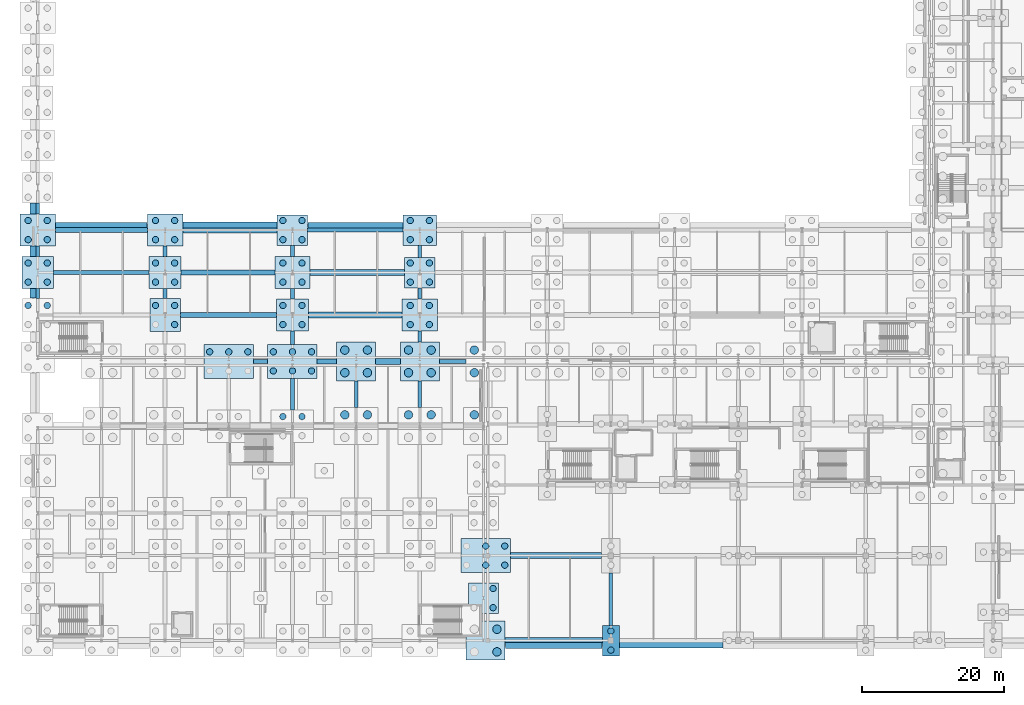
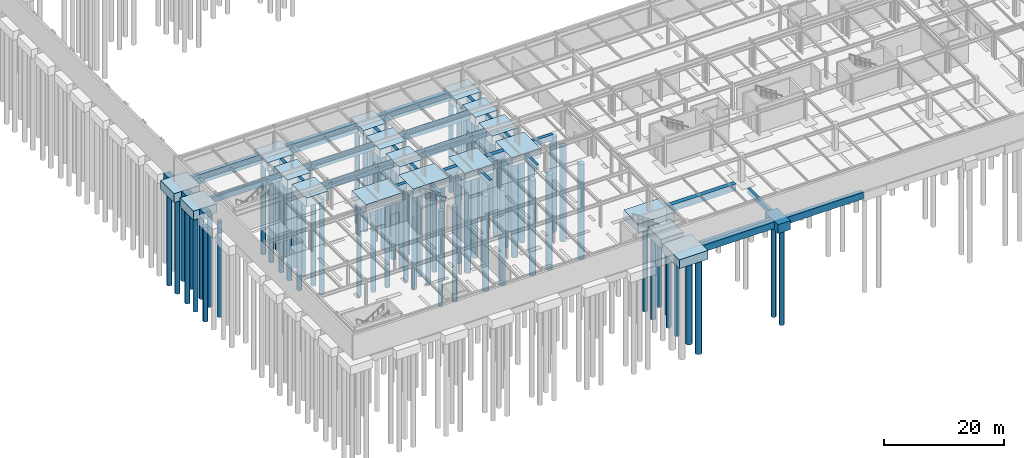
# One storey, part 3 of 65: 81 piles, 56 footings.
"""IFC4 building model written with IfcOpenShell, lengths in metres."""

from ifc_helpers import new_model, si_unit, direction, frame, origin, origin_2d, place, context, subcontext, project, spatial, rectangle, circle, extrude, material, material_profile, profile_set, type_object, element, save


model = new_model("IFC4")

# Units and contexts
model_context = context("Model", 3, precision=1e-05, world=origin(), true_north=direction((0.0, 1.0)))
body_context = subcontext(model_context, "Body", "Model", "MODEL_VIEW")
ifc_project = project(units=[si_unit("LENGTHUNIT", "METRE"), si_unit("AREAUNIT", "SQUARE_METRE"), si_unit("VOLUMEUNIT", "CUBIC_METRE"), si_unit("PLANEANGLEUNIT", "RADIAN"), si_unit("MASSUNIT", "GRAM", prefix="KILO")], contexts=[model_context])

# Site, building, storey
site_placement = place(None, origin())
site = spatial("IfcSite", under=ifc_project, at=site_placement, CompositionType="ELEMENT")
building_placement = place(site_placement, origin())
building = spatial("IfcBuilding", under=site, at=building_placement, Name="Kaldris Quays Convention Centre", CompositionType="ELEMENT")
storey_placement = place(building_placement, frame((0.0, 0.0, -5.39990234375)))
storey = spatial("IfcBuildingStorey", under=building, at=storey_placement, Name="B1", CompositionType="ELEMENT", Elevation=-5.39990234375)

# Piles
ifc_material = material(Name="Concrete C35/45", Category="concrete")
ifc_material_profile_1 = material_profile(ifc_material, circle(Radius=0.449951171875, at=origin_2d()), Name="BORED PILE D900")
ifc_profile_set_1 = profile_set([ifc_material_profile_1], Name="Concrete C35/45")
pile_type_1 = type_object("IfcPileType", Name="BORED PILE P01", PredefinedType="BORED", material=ifc_profile_set_1)
for number, where, z_axis, x_axis, name in (
    (1, (18.64990234375, 63.35009765625, -1.7001953125), (0.0, 0.0, -1.0), (1.0, 0.0, 0.0), "Bored Pile P01 31"),
    (2, (21.35009765625, 63.35009765625, -1.7001953125), (0.0, 0.0, -1.0), (1.0, 0.0, 0.0), "Bored Pile P01 32"),
    (3, (18.64990234375, 66.64990234375, -1.7001953125), (0.0, 0.0, -1.0), (1.0, 0.0, 0.0), "Bored Pile P01 33"),
    (4, (21.35009765625, 66.64990234375, -1.7001953125), (0.0, 0.0, -1.0), (1.0, 0.0, 0.0), "Bored Pile P01 34"),
    (5, (18.64990234375, 69.35009765625, -1.7001953125), (0.0, 0.0, -1.0), (1.0, 0.0, 0.0), "Bored Pile P01 35"),
    (6, (21.35009765625, 69.35009765625, -1.7001953125), (0.0, 0.0, -1.0), (1.0, 0.0, 0.0), "Bored Pile P01 36"),
    (7, (18.64990234375, 72.64990234375, -1.7001953125), (0.0, 0.0, -1.0), (1.0, 0.0, 0.0), "Bored Pile P01 37"),
    (8, (21.35009765625, 72.64990234375, -1.7001953125), (0.0, 0.0, -1.0), (1.0, 0.0, 0.0), "Bored Pile P01 38"),
    (9, (18.64990234375, 75.35009765625, -1.7001953125), (0.0, 0.0, -1.0), (1.0, 0.0, 0.0), "Bored Pile P01 39"),
    (10, (21.35009765625, 75.35009765625, -1.7001953125), (0.0, 0.0, -1.0), (1.0, 0.0, 0.0), "Bored Pile P01 40"),
    (11, (39.35009765625, 60.64990234375, -1.7001953125), (0.0, 0.0, -1.0), (1.0, 0.0, 0.0), "Bored Pile P01 130"),
    (12, (36.64990234375, 63.35009765625, -1.7001953125), (0.0, 0.0, -1.0), (1.0, 0.0, 0.0), "Bored Pile P01 131"),
    (13, (39.35009765625, 63.35009765625, -1.7001953125), (0.0, 0.0, -1.0), (1.0, 0.0, 0.0), "Bored Pile P01 132"),
    (14, (36.64990234375, 66.64990234375, -1.7001953125), (0.0, 0.0, -1.0), (1.0, 0.0, 0.0), "Bored Pile P01 133"),
    (15, (39.35009765625, 66.64990234375, -1.7001953125), (0.0, 0.0, -1.0), (1.0, 0.0, 0.0), "Bored Pile P01 134"),
    (16, (36.64990234375, 69.35009765625, -1.7001953125), (0.0, 0.0, -1.0), (1.0, 0.0, 0.0), "Bored Pile P01 135"),
    (17, (39.35009765625, 69.35009765625, -1.7001953125), (0.0, 0.0, -1.0), (1.0, 0.0, 0.0), "Bored Pile P01 136"),
    (18, (36.64990234375, 72.64990234375, -1.7001953125), (0.0, 0.0, -1.0), (1.0, 0.0, 0.0), "Bored Pile P01 137"),
    (19, (39.35009765625, 72.64990234375, -1.7001953125), (0.0, 0.0, -1.0), (1.0, 0.0, 0.0), "Bored Pile P01 138"),
    (20, (36.64990234375, 75.35009765625, -1.7001953125), (0.0, 0.0, -1.0), (1.0, 0.0, 0.0), "Bored Pile P01 139"),
    (21, (39.35009765625, 75.35009765625, -1.7001953125), (0.0, 0.0, -1.0), (1.0, 0.0, 0.0), "Bored Pile P01 140"),
    (22, (44.300048828125, 56.800048828125, -1.7001953125), (0.0, 0.0, -1.0), (1.0, 0.0, 0.0), "Bored Pile P01 168"),
    (23, (47.0, 56.800048828125, -1.7001953125), (0.0, 0.0, -1.0), (1.0, 0.0, 0.0), "Bored Pile P01 169"),
    (24, (49.699951171875, 56.800048828125, -1.7001953125), (0.0, 0.0, -1.0), (1.0, 0.0, 0.0), "Bored Pile P01 170"),
    (25, (54.64990234375, 47.64990234375, -1.7001953125), (0.0, 0.0, -1.0), (1.0, 0.0, 0.0), "Bored Pile P01 189"),
    (26, (57.35009765625, 47.64990234375, -1.7001953125), (0.0, 0.0, -1.0), (1.0, 0.0, 0.0), "Bored Pile P01 190"),
    (27, (53.300048828125, 54.10009765625, -1.7001953125), (0.0, 0.0, -1.0), (1.0, 0.0, 0.0), "Bored Pile P01 191"),
    (28, (56.0, 54.10009765625, -1.7001953125), (0.0, 0.0, -1.0), (1.0, 0.0, 0.0), "Bored Pile P01 192"),
    (29, (58.699951171875, 54.10009765625, -1.7001953125), (0.0, 0.0, -1.0), (1.0, 0.0, 0.0), "Bored Pile P01 193"),
    (30, (53.300048828125, 56.800048828125, -1.7001953125), (0.0, 0.0, -1.0), (1.0, 0.0, 0.0), "Bored Pile P01 194"),
    (31, (56.0, 56.800048828125, -1.7001953125), (0.0, 0.0, -1.0), (1.0, 0.0, 0.0), "Bored Pile P01 195"),
    (32, (58.699951171875, 56.800048828125, -1.7001953125), (0.0, 0.0, -1.0), (1.0, 0.0, 0.0), "Bored Pile P01 196"),
    (33, (54.64990234375, 60.64990234375, -1.7001953125), (0.0, 0.0, -1.0), (1.0, 0.0, 0.0), "Bored Pile P01 197"),
    (34, (57.35009765625, 60.64990234375, -1.7001953125), (0.0, 0.0, -1.0), (1.0, 0.0, 0.0), "Bored Pile P01 198"),
    (35, (54.64990234375, 63.35009765625, -1.7001953125), (0.0, 0.0, -1.0), (1.0, 0.0, 0.0), "Bored Pile P01 199"),
    (36, (57.35009765625, 63.35009765625, -1.7001953125), (0.0, 0.0, -1.0), (1.0, 0.0, 0.0), "Bored Pile P01 200"),
    (37, (54.64990234375, 66.64990234375, -1.7001953125), (0.0, 0.0, -1.0), (1.0, 0.0, 0.0), "Bored Pile P01 201"),
    (38, (57.35009765625, 66.64990234375, -1.7001953125), (0.0, 0.0, -1.0), (1.0, 0.0, 0.0), "Bored Pile P01 202"),
    (39, (54.64990234375, 69.35009765625, -1.7001953125), (0.0, 0.0, -1.0), (1.0, 0.0, 0.0), "Bored Pile P01 203"),
    (40, (57.35009765625, 69.35009765625, -1.7001953125), (0.0, 0.0, -1.0), (1.0, 0.0, 0.0), "Bored Pile P01 204"),
    (41, (54.64990234375, 72.64990234375, -1.7001953125), (0.0, 0.0, -1.0), (1.0, 0.0, 0.0), "Bored Pile P01 205"),
    (42, (57.35009765625, 72.64990234375, -1.7001953125), (0.0, 0.0, -1.0), (1.0, 0.0, 0.0), "Bored Pile P01 206"),
    (43, (54.64990234375, 75.35009765625, -1.7001953125), (0.0, 0.0, -1.0), (1.0, 0.0, 0.0), "Bored Pile P01 207"),
    (44, (57.35009765625, 75.35009765625, -1.7001953125), (0.0, 0.0, -1.0), (1.0, 0.0, 0.0), "Bored Pile P01 208"),
    (45, (72.64990234375, 60.64990234375, -1.7001953125), (0.0, 0.0, -1.0), (1.0, 0.0, 0.0), "Bored Pile P01 261"),
    (46, (75.35009765625, 60.64990234375, -1.7001953125), (0.0, 0.0, -1.0), (1.0, 0.0, 0.0), "Bored Pile P01 262"),
    (47, (72.64990234375, 63.35009765625, -1.7001953125), (0.0, 0.0, -1.0), (1.0, 0.0, 0.0), "Bored Pile P01 263"),
    (48, (75.35009765625, 63.35009765625, -1.7001953125), (0.0, 0.0, -1.0), (1.0, 0.0, 0.0), "Bored Pile P01 264"),
    (49, (72.64990234375, 66.64990234375, -1.7001953125), (0.0, 0.0, -1.0), (1.0, 0.0, 0.0), "Bored Pile P01 265"),
    (50, (75.35009765625, 66.64990234375, -1.7001953125), (0.0, 0.0, -1.0), (1.0, 0.0, 0.0), "Bored Pile P01 266"),
    (51, (72.64990234375, 69.35009765625, -1.7001953125), (0.0, 0.0, -1.0), (1.0, 0.0, 0.0), "Bored Pile P01 267"),
    (52, (75.35009765625, 69.35009765625, -1.7001953125), (0.0, 0.0, -1.0), (1.0, 0.0, 0.0), "Bored Pile P01 268"),
    (53, (72.64990234375, 72.64990234375, -1.7001953125), (0.0, 0.0, -1.0), (1.0, 0.0, 0.0), "Bored Pile P01 269"),
    (54, (75.35009765625, 72.64990234375, -1.7001953125), (0.0, 0.0, -1.0), (1.0, 0.0, 0.0), "Bored Pile P01 270"),
    (55, (72.64990234375, 75.35009765625, -1.7001953125), (0.0, 0.0, -1.0), (1.0, 0.0, 0.0), "Bored Pile P01 271"),
    (56, (75.35009765625, 75.35009765625, -1.7001953125), (0.0, 0.0, -1.0), (1.0, 0.0, 0.0), "Bored Pile P01 272"),
    (57, (84.35009765625, 20.64990234375, -1.7001953125), (0.0, 0.0, -1.0), (1.0, 0.0, 0.0), "Bored Pile P01 286"),
    (58, (84.35009765625, 23.35009765625, -1.7001953125), (0.0, 0.0, -1.0), (1.0, 0.0, 0.0), "Bored Pile P01 288"),
    (59, (83.300048828125, 26.64990234375, -1.7001953125), (0.0, 0.0, -1.0), (1.0, 0.0, 0.0), "Bored Pile P01 290"),
    (60, (86.0, 26.64990234375, -1.7001953125), (0.0, 0.0, -1.0), (1.0, 0.0, 0.0), "Bored Pile P01 291"),
    (61, (83.300048828125, 29.35009765625, -1.7001953125), (0.0, 0.0, -1.0), (1.0, 0.0, 0.0), "Bored Pile P01 293"),
    (62, (86.0, 29.35009765625, -1.7001953125), (0.0, 0.0, -1.0), (1.0, 0.0, 0.0), "Bored Pile P01 294"),
    (63, (101.0, 14.64990234375, -1.7001953125), (0.0, 0.0, -1.0), (1.0, 0.0, 0.0), "Bored Pile P01 343"),
    (64, (101.0, 17.35009765625, -1.7001953125), (0.0, 0.0, -1.0), (1.0, 0.0, 0.0), "Bored Pile P01 344"),
):
    element("IfcPile", number, at=place(storey_placement, frame(where, z_axis=z_axis, x_axis=x_axis)), inside=storey, type_object=pile_type_1, Name=name, PredefinedType="BORED", context=body_context, shape_type="SweptSolid", body=[
        extrude(circle(Radius=0.449951171875, at=origin_2d()), origin(), (0.0, 0.0, 1.0), 19.300048828125),
    ])
ifc_material_profile_2 = material_profile(ifc_material, circle(Radius=0.60009765625, at=origin_2d()), Name="BORED PILE D1200")
ifc_profile_set_2 = profile_set([ifc_material_profile_2], Name="Concrete C35/45")
pile_type_2 = type_object("IfcPileType", Name="BORED PILE P02", PredefinedType="BORED", material=ifc_profile_set_2)
for number, where, z_axis, x_axis, name in (
    (65, (63.39990234375, 47.89990234375, -1.7001953125), (0.0, 0.0, -1.0), (1.0, 0.0, 0.0), "Bored Pile P02 231"),
    (66, (66.60009765625, 47.89990234375, -1.7001953125), (0.0, 0.0, -1.0), (1.0, 0.0, 0.0), "Bored Pile P02 232"),
    (67, (63.39990234375, 53.85009765625, -1.7001953125), (0.0, 0.0, -1.0), (1.0, 0.0, 0.0), "Bored Pile P02 233"),
    (68, (66.60009765625, 53.85009765625, -1.7001953125), (0.0, 0.0, -1.0), (1.0, 0.0, 0.0), "Bored Pile P02 234"),
    (69, (63.39990234375, 57.050048828125, -1.7001953125), (0.0, 0.0, -1.0), (1.0, 0.0, 0.0), "Bored Pile P02 235"),
    (70, (66.60009765625, 57.050048828125, -1.7001953125), (0.0, 0.0, -1.0), (1.0, 0.0, 0.0), "Bored Pile P02 236"),
    (71, (72.39990234375, 47.89990234375, -1.7001953125), (0.0, 0.0, -1.0), (1.0, 0.0, 0.0), "Bored Pile P02 255"),
    (72, (75.60009765625, 47.89990234375, -1.7001953125), (0.0, 0.0, -1.0), (1.0, 0.0, 0.0), "Bored Pile P02 256"),
    (73, (72.39990234375, 53.85009765625, -1.7001953125), (0.0, 0.0, -1.0), (1.0, 0.0, 0.0), "Bored Pile P02 257"),
    (74, (75.60009765625, 53.85009765625, -1.7001953125), (0.0, 0.0, -1.0), (1.0, 0.0, 0.0), "Bored Pile P02 258"),
    (75, (72.39990234375, 57.050048828125, -1.7001953125), (0.0, 0.0, -1.0), (1.0, 0.0, 0.0), "Bored Pile P02 259"),
    (76, (75.60009765625, 57.050048828125, -1.7001953125), (0.0, 0.0, -1.0), (1.0, 0.0, 0.0), "Bored Pile P02 260"),
    (77, (84.89990234375, 14.39990234375, -1.7001953125), (0.0, 0.0, -1.0), (1.0, 0.0, 0.0), "Bored Pile P02 282"),
    (78, (84.89990234375, 17.60009765625, -1.7001953125), (0.0, 0.0, -1.0), (1.0, 0.0, 0.0), "Bored Pile P02 284"),
    (79, (81.699951171875, 47.89990234375, -1.7001953125), (0.0, 0.0, -1.0), (1.0, 0.0, 0.0), "Bored Pile P02 305"),
    (80, (81.699951171875, 53.85009765625, -1.7001953125), (0.0, 0.0, -1.0), (1.0, 0.0, 0.0), "Bored Pile P02 307"),
    (81, (81.699951171875, 57.050048828125, -1.7001953125), (0.0, 0.0, -1.0), (1.0, 0.0, 0.0), "Bored Pile P02 309"),
):
    element("IfcPile", number, at=place(storey_placement, frame(where, z_axis=z_axis, x_axis=x_axis)), inside=storey, type_object=pile_type_2, Name=name, PredefinedType="BORED", context=body_context, shape_type="SweptSolid", body=[
        extrude(circle(Radius=0.60009765625, at=origin_2d()), origin(), (0.0, 0.0, 1.0), 19.300048828125),
    ])

# Footings
footing_type_1 = type_object("IfcFootingType", Name="CONCRETE FOOTING PC03", PredefinedType="PILE_CAP", material=ifc_material)
footing_1_placement = place(storey_placement, frame((101.0, 16.0, -1.80029296875), z_axis=(0.0, 0.0, 1.0), x_axis=(1.0, 0.0, 0.0)))
element("IfcFooting", 82, at=footing_1_placement, inside=storey, type_object=footing_type_1, Name="Pile Cap CAP-087 (PC03)", PredefinedType="PILE_CAP", context=body_context, shape_type="SweptSolid", body=[
    extrude(rectangle(XDim=2.39990234375, YDim=4.300048828125, at=origin_2d()), origin(), (0.0, 0.0, 1.0), 1.800048828125),
])
footing_type_2 = type_object("IfcFootingType", Name="CONCRETE FOOTING PC04", PredefinedType="PILE_CAP", material=ifc_material)
for number, where, z_axis, x_axis, name in (
    (83, (56.0, 74.0, -1.80029296875), (0.0, 0.0, 1.0), (1.0, 0.0, 0.0), "Pile Cap CAP-051 (PC04)"),
    (84, (74.0, 68.0, -1.80029296875), (0.0, 0.0, 1.0), (1.0, 0.0, 0.0), "Pile Cap CAP-066 (PC04)"),
    (85, (83.0, 22.0, -1.80029296875), (0.0, 0.0, 1.0), (1.0, 0.0, 0.0), "Pile Cap CAP-071 (PC04)"),
):
    element("IfcFooting", number, at=place(storey_placement, frame(where, z_axis=z_axis, x_axis=x_axis)), inside=storey, type_object=footing_type_2, Name=name, PredefinedType="PILE_CAP", context=body_context, shape_type="SweptSolid", body=[
        extrude(rectangle(XDim=4.300048828125, YDim=4.300048828125, at=origin_2d()), origin(), (0.0, 0.0, 1.0), 1.800048828125),
    ])
footing_type_3 = type_object("IfcFootingType", Name="CONCRETE FOOTING PC06", PredefinedType="PILE_CAP", material=ifc_material)
for number, where, z_axis, x_axis, name in (
    (86, (47.0, 55.449951171875, -1.80029296875), (0.0, 0.0, 1.0), (1.0, 0.0, 0.0), "Pile Cap CAP-042 (PC06)"),
    (87, (56.0, 55.449951171875, -1.80029296875), (0.0, 0.0, 1.0), (1.0, 0.0, 0.0), "Pile Cap CAP-048 (PC06)"),
    (88, (83.300048828125, 28.0, -1.80029296875), (0.0, 0.0, 1.0), (1.0, 0.0, 0.0), "Pile Cap CAP-072 (PC06)"),
):
    element("IfcFooting", number, at=place(storey_placement, frame(where, z_axis=z_axis, x_axis=x_axis)), inside=storey, type_object=footing_type_3, Name=name, PredefinedType="PILE_CAP", context=body_context, shape_type="SweptSolid", body=[
        extrude(rectangle(XDim=7.0, YDim=4.800048828125, at=origin_2d()), origin(), (0.0, 0.0, 1.0), 1.800048828125),
    ])
footing_type_4 = type_object("IfcFootingType", Name="CONCRETE FOOTING PC07", PredefinedType="PILE_CAP", material=ifc_material)
footing_2_placement = place(storey_placement, frame((74.0, 74.0, -1.80029296875), z_axis=(0.0, 0.0, 1.0), x_axis=(1.0, 0.0, 0.0)))
element("IfcFooting", 89, at=footing_2_placement, inside=storey, type_object=footing_type_4, Name="Pile Cap CAP-067 (PC07)", PredefinedType="PILE_CAP", context=body_context, shape_type="SweptSolid", body=[
    extrude(rectangle(XDim=4.699951171875, YDim=4.300048828125, at=origin_2d()), origin(), (0.0, 0.0, 1.0), 1.800048828125),
])
footing_type_5 = type_object("IfcFootingType", Name="CONCRETE FOOTING PC08", PredefinedType="PILE_CAP", material=ifc_material)
footing_3_placement = place(storey_placement, frame((38.0, 62.0, -1.80029296875), z_axis=(0.0, 0.0, 1.0), x_axis=(1.0, 0.0, 0.0)))
element("IfcFooting", 90, at=footing_3_placement, inside=storey, type_object=footing_type_5, Name="Pile Cap CAP-033 (PC08)", PredefinedType="PILE_CAP", context=body_context, shape_type="SweptSolid", body=[
    extrude(rectangle(XDim=4.300048828125, YDim=4.699951171875, at=origin_2d()), origin(), (0.0, 0.0, 1.0), 1.800048828125),
])
footing_type_6 = type_object("IfcFootingType", Name="CONCRETE FOOTING PC13", PredefinedType="PILE_CAP", material=ifc_material)
for number, where, z_axis, x_axis, name in (
    (91, (20.0, 68.0, -1.80029296875), (0.0, 0.0, 1.0), (1.0, 0.0, 0.0), "Pile Cap CAP-009 (PC13)"),
    (92, (38.0, 68.0, -1.80029296875), (0.0, 0.0, 1.0), (1.0, 0.0, 0.0), "Pile Cap CAP-034 (PC13)"),
    (93, (56.0, 62.0, -1.80029296875), (0.0, 0.0, 1.0), (1.0, 0.0, 0.0), "Pile Cap CAP-049 (PC13)"),
):
    element("IfcFooting", number, at=place(storey_placement, frame(where, z_axis=z_axis, x_axis=x_axis)), inside=storey, type_object=footing_type_6, Name=name, PredefinedType="PILE_CAP", context=body_context, shape_type="SweptSolid", body=[
        extrude(rectangle(XDim=4.5, YDim=4.5, at=origin_2d()), origin(), (0.0, 0.0, 1.0), 1.800048828125),
    ])
footing_type_7 = type_object("IfcFootingType", Name="CONCRETE FOOTING PC14", PredefinedType="PILE_CAP", material=ifc_material)
for number, where, z_axis, x_axis, name in (
    (94, (20.0, 74.0, -1.80029296875), (0.0, 0.0, 1.0), (1.0, 0.0, 0.0), "Pile Cap CAP-010 (PC14)"),
    (95, (38.0, 74.0, -1.80029296875), (0.0, 0.0, 1.0), (1.0, 0.0, 0.0), "Pile Cap CAP-035 (PC14)"),
    (96, (56.0, 68.0, -1.80029296875), (0.0, 0.0, 1.0), (1.0, 0.0, 0.0), "Pile Cap CAP-050 (PC14)"),
    (97, (74.0, 62.0, -1.80029296875), (0.0, 0.0, 1.0), (1.0, 0.0, 0.0), "Pile Cap CAP-065 (PC14)"),
):
    element("IfcFooting", number, at=place(storey_placement, frame(where, z_axis=z_axis, x_axis=x_axis)), inside=storey, type_object=footing_type_7, Name=name, PredefinedType="PILE_CAP", context=body_context, shape_type="SweptSolid", body=[
        extrude(rectangle(XDim=5.0, YDim=4.5, at=origin_2d()), origin(), (0.0, 0.0, 1.0), 1.800048828125),
    ])
footing_type_8 = type_object("IfcFootingType", Name="CONCRETE FOOTING PC15", PredefinedType="PILE_CAP", material=ifc_material)
for number, where, z_axis, x_axis, name in (
    (98, (65.0, 55.449951171875, -1.80029296875), (0.0, 0.0, 1.0), (1.0, 0.0, 0.0), "Pile Cap CAP-058 (PC15)"),
    (99, (74.0, 55.449951171875, -1.80029296875), (0.0, 0.0, 1.0), (1.0, 0.0, 0.0), "Pile Cap CAP-064 (PC15)"),
    (100, (83.300048828125, 16.0, -1.80029296875), (0.0, 0.0, 1.0), (1.0, 0.0, 0.0), "Pile Cap CAP-070 (PC15)"),
):
    element("IfcFooting", number, at=place(storey_placement, frame(where, z_axis=z_axis, x_axis=x_axis)), inside=storey, type_object=footing_type_8, Name=name, PredefinedType="PILE_CAP", context=body_context, shape_type="SweptSolid", body=[
        extrude(rectangle(XDim=5.5, YDim=5.5, at=origin_2d()), origin(), (0.0, 0.0, 1.0), 1.800048828125),
    ])
footing_type_9 = type_object("IfcFootingType", Name="GROUND TIE BEAM GB01", PredefinedType="FOOTING_BEAM", material=ifc_material)
footing_4_placement = place(storey_placement, frame((51.5, 55.449951171875, -1.2001953125), z_axis=(0.0, 0.0, 1.0), x_axis=(1.0, 0.0, 0.0)))
element("IfcFooting", 101, at=footing_4_placement, inside=storey, type_object=footing_type_9, Name="Ground Tie Beam GB01 72", PredefinedType="FOOTING_BEAM", context=body_context, shape_type="SweptSolid", body=[
    extrude(rectangle(XDim=2.0, YDim=0.60009765625, at=origin_2d()), origin(), (0.0, 0.0, 1.0), 1.199951171875),
])
footing_5_placement = place(storey_placement, frame((78.64990234375, 55.449951171875, -1.2001953125), z_axis=(0.0, 0.0, 1.0), x_axis=(1.0, 0.0, 0.0)))
element("IfcFooting", 102, at=footing_5_placement, inside=storey, type_object=footing_type_9, Name="Ground Tie Beam GB01 75", PredefinedType="FOOTING_BEAM", context=body_context, shape_type="SweptSolid", body=[
    extrude(rectangle(XDim=3.800048828125, YDim=0.60009765625, at=origin_2d()), origin(), (0.0, 0.0, 1.0), 1.199951171875),
])
for number, where, z_axis, x_axis, name in (
    (103, (29.0, 68.0, -1.2001953125), (0.0, 0.0, 1.0), (1.0, 0.0, 0.0), "Ground Tie Beam GB01 93"),
    (104, (64.89990234375, 74.0, -1.2001953125), (0.0, 0.0, 1.0), (1.0, 0.0, 0.0), "Ground Tie Beam GB01 108"),
):
    element("IfcFooting", number, at=place(storey_placement, frame(where, z_axis=z_axis, x_axis=x_axis)), inside=storey, type_object=footing_type_9, Name=name, PredefinedType="FOOTING_BEAM", context=body_context, shape_type="SweptSolid", body=[
        extrude(rectangle(XDim=13.5, YDim=0.60009765625, at=origin_2d()), origin(), (0.0, 0.0, 1.0), 1.199951171875),
    ])
footing_type_10 = type_object("IfcFootingType", Name="GROUND TIE BEAM GB02", PredefinedType="FOOTING_BEAM", material=ifc_material)
footing_6_placement = place(storey_placement, frame((60.875, 55.449951171875, -1.25), z_axis=(0.0, 0.0, 1.0), x_axis=(1.0, 0.0, 0.0)))
element("IfcFooting", 105, at=footing_6_placement, inside=storey, type_object=footing_type_10, Name="Ground Tie Beam GB02 73", PredefinedType="FOOTING_BEAM", context=body_context, shape_type="SweptSolid", body=[
    extrude(rectangle(XDim=2.75, YDim=0.719970703125, at=origin_2d()), origin(), (0.0, 0.0, 1.0), 1.25),
])
footing_7_placement = place(storey_placement, frame((46.949951171875, 62.0, -1.25), z_axis=(0.0, 0.0, 1.0), x_axis=(1.0, 0.0, 0.0)))
element("IfcFooting", 106, at=footing_7_placement, inside=storey, type_object=footing_type_10, Name="Ground Tie Beam GB02 85", PredefinedType="FOOTING_BEAM", context=body_context, shape_type="SweptSolid", body=[
    extrude(rectangle(XDim=13.60009765625, YDim=0.719970703125, at=origin_2d()), origin(), (0.0, 0.0, 1.0), 1.25),
])
footing_8_placement = place(storey_placement, frame((46.875, 68.0, -1.25), z_axis=(0.0, 0.0, 1.0), x_axis=(1.0, 0.0, 0.0)))
element("IfcFooting", 107, at=footing_8_placement, inside=storey, type_object=footing_type_10, Name="Ground Tie Beam GB02 94", PredefinedType="FOOTING_BEAM", context=body_context, shape_type="SweptSolid", body=[
    extrude(rectangle(XDim=13.25, YDim=0.719970703125, at=origin_2d()), origin(), (0.0, 0.0, 1.0), 1.25),
])
footing_9_placement = place(storey_placement, frame((29.0, 74.0, -1.25), z_axis=(0.0, 0.0, 1.0), x_axis=(1.0, 0.0, 0.0)))
element("IfcFooting", 108, at=footing_9_placement, inside=storey, type_object=footing_type_10, Name="Ground Tie Beam GB02 106", PredefinedType="FOOTING_BEAM", context=body_context, shape_type="SweptSolid", body=[
    extrude(rectangle(XDim=13.0, YDim=0.719970703125, at=origin_2d()), origin(), (0.0, 0.0, 1.0), 1.25),
])
footing_type_11 = type_object("IfcFootingType", Name="GROUND TIE BEAM GB03", PredefinedType="FOOTING_BEAM", material=ifc_material)
footing_10_placement = place(storey_placement, frame((20.0, 65.050048828125, -1.05029296875), z_axis=(0.0, 0.0, 1.0), x_axis=(1.0, 0.0, 0.0)))
element("IfcFooting", 109, at=footing_10_placement, inside=storey, type_object=footing_type_11, Name="Ground Tie Beam GB03 182", PredefinedType="FOOTING_BEAM", context=body_context, shape_type="SweptSolid", body=[
    extrude(rectangle(XDim=0.52001953125, YDim=1.39990234375, at=origin_2d()), origin(), (0.0, 0.0, 1.0), 1.050048828125),
])
footing_11_placement = place(storey_placement, frame((20.0, 71.0, -1.05029296875), z_axis=(0.0, 0.0, 1.0), x_axis=(1.0, 0.0, 0.0)))
element("IfcFooting", 110, at=footing_11_placement, inside=storey, type_object=footing_type_11, Name="Ground Tie Beam GB03 183", PredefinedType="FOOTING_BEAM", context=body_context, shape_type="SweptSolid", body=[
    extrude(rectangle(XDim=0.52001953125, YDim=1.5, at=origin_2d()), origin(), (0.0, 0.0, 1.0), 1.050048828125),
])
footing_12_placement = place(storey_placement, frame((20.0, 77.050048828125, -1.05029296875), z_axis=(0.0, 0.0, 1.0), x_axis=(1.0, 0.0, 0.0)))
element("IfcFooting", 111, at=footing_12_placement, inside=storey, type_object=footing_type_11, Name="Ground Tie Beam GB03 184", PredefinedType="FOOTING_BEAM", context=body_context, shape_type="SweptSolid", body=[
    extrude(rectangle(XDim=0.52001953125, YDim=1.60009765625, at=origin_2d()), origin(), (0.0, 0.0, 1.0), 1.050048828125),
])
footing_13_placement = place(storey_placement, frame((38.0, 65.050048828125, -1.05029296875), z_axis=(0.0, 0.0, 1.0), x_axis=(1.0, 0.0, 0.0)))
element("IfcFooting", 112, at=footing_13_placement, inside=storey, type_object=footing_type_11, Name="Ground Tie Beam GB03 204", PredefinedType="FOOTING_BEAM", context=body_context, shape_type="SweptSolid", body=[
    extrude(rectangle(XDim=0.52001953125, YDim=1.39990234375, at=origin_2d()), origin(), (0.0, 0.0, 1.0), 1.050048828125),
])
footing_14_placement = place(storey_placement, frame((38.0, 71.0, -1.05029296875), z_axis=(0.0, 0.0, 1.0), x_axis=(1.0, 0.0, 0.0)))
element("IfcFooting", 113, at=footing_14_placement, inside=storey, type_object=footing_type_11, Name="Ground Tie Beam GB03 205", PredefinedType="FOOTING_BEAM", context=body_context, shape_type="SweptSolid", body=[
    extrude(rectangle(XDim=0.52001953125, YDim=1.5, at=origin_2d()), origin(), (0.0, 0.0, 1.0), 1.050048828125),
])
footing_15_placement = place(storey_placement, frame((56.0, 50.824951171875, -1.05029296875), z_axis=(0.0, 0.0, 1.0), x_axis=(1.0, 0.0, 0.0)))
element("IfcFooting", 114, at=footing_15_placement, inside=storey, type_object=footing_type_11, Name="Ground Tie Beam GB03 214", PredefinedType="FOOTING_BEAM", context=body_context, shape_type="SweptSolid", body=[
    extrude(rectangle(XDim=0.52001953125, YDim=4.449951171875, at=origin_2d()), origin(), (0.0, 0.0, 1.0), 1.050048828125),
])
footing_16_placement = place(storey_placement, frame((56.0, 58.800048828125, -1.05029296875), z_axis=(0.0, 0.0, 1.0), x_axis=(1.0, 0.0, 0.0)))
element("IfcFooting", 115, at=footing_16_placement, inside=storey, type_object=footing_type_11, Name="Ground Tie Beam GB03 215", PredefinedType="FOOTING_BEAM", context=body_context, shape_type="SweptSolid", body=[
    extrude(rectangle(XDim=0.52001953125, YDim=1.89990234375, at=origin_2d()), origin(), (0.0, 0.0, 1.0), 1.050048828125),
])
footing_17_placement = place(storey_placement, frame((56.0, 65.0, -1.05029296875), z_axis=(0.0, 0.0, 1.0), x_axis=(1.0, 0.0, 0.0)))
element("IfcFooting", 116, at=footing_17_placement, inside=storey, type_object=footing_type_11, Name="Ground Tie Beam GB03 216", PredefinedType="FOOTING_BEAM", context=body_context, shape_type="SweptSolid", body=[
    extrude(rectangle(XDim=0.52001953125, YDim=1.5, at=origin_2d()), origin(), (0.0, 0.0, 1.0), 1.050048828125),
])
footing_18_placement = place(storey_placement, frame((56.0, 71.050048828125, -1.05029296875), z_axis=(0.0, 0.0, 1.0), x_axis=(1.0, 0.0, 0.0)))
element("IfcFooting", 117, at=footing_18_placement, inside=storey, type_object=footing_type_11, Name="Ground Tie Beam GB03 217", PredefinedType="FOOTING_BEAM", context=body_context, shape_type="SweptSolid", body=[
    extrude(rectangle(XDim=0.52001953125, YDim=1.60009765625, at=origin_2d()), origin(), (0.0, 0.0, 1.0), 1.050048828125),
])
for number, where, z_axis, x_axis, name in (
    (118, (65.0, 50.800048828125, -1.05029296875), (0.0, 0.0, 1.0), (1.0, 0.0, 0.0), "Ground Tie Beam GB03 222"),
    (119, (74.0, 50.800048828125, -1.05029296875), (0.0, 0.0, 1.0), (1.0, 0.0, 0.0), "Ground Tie Beam GB03 226"),
):
    element("IfcFooting", number, at=place(storey_placement, frame(where, z_axis=z_axis, x_axis=x_axis)), inside=storey, type_object=footing_type_11, Name=name, PredefinedType="FOOTING_BEAM", context=body_context, shape_type="SweptSolid", body=[
        extrude(rectangle(XDim=0.52001953125, YDim=3.800048828125, at=origin_2d()), origin(), (0.0, 0.0, 1.0), 1.050048828125),
    ])
footing_19_placement = place(storey_placement, frame((74.0, 58.97509765625, -1.05029296875), z_axis=(0.0, 0.0, 1.0), x_axis=(1.0, 0.0, 0.0)))
element("IfcFooting", 120, at=footing_19_placement, inside=storey, type_object=footing_type_11, Name="Ground Tie Beam GB03 227", PredefinedType="FOOTING_BEAM", context=body_context, shape_type="SweptSolid", body=[
    extrude(rectangle(XDim=0.52001953125, YDim=1.550048828125, at=origin_2d()), origin(), (0.0, 0.0, 1.0), 1.050048828125),
])
footing_20_placement = place(storey_placement, frame((74.0, 65.050048828125, -1.05029296875), z_axis=(0.0, 0.0, 1.0), x_axis=(1.0, 0.0, 0.0)))
element("IfcFooting", 121, at=footing_20_placement, inside=storey, type_object=footing_type_11, Name="Ground Tie Beam GB03 228", PredefinedType="FOOTING_BEAM", context=body_context, shape_type="SweptSolid", body=[
    extrude(rectangle(XDim=0.52001953125, YDim=1.60009765625, at=origin_2d()), origin(), (0.0, 0.0, 1.0), 1.050048828125),
])
footing_21_placement = place(storey_placement, frame((74.0, 71.0, -1.05029296875), z_axis=(0.0, 0.0, 1.0), x_axis=(1.0, 0.0, 0.0)))
element("IfcFooting", 122, at=footing_21_placement, inside=storey, type_object=footing_type_11, Name="Ground Tie Beam GB03 229", PredefinedType="FOOTING_BEAM", context=body_context, shape_type="SweptSolid", body=[
    extrude(rectangle(XDim=0.52001953125, YDim=1.699951171875, at=origin_2d()), origin(), (0.0, 0.0, 1.0), 1.050048828125),
])
footing_22_placement = place(storey_placement, frame((101.0, 21.85009765625, -1.05029296875), z_axis=(0.0, 0.0, 1.0), x_axis=(1.0, 0.0, 0.0)))
element("IfcFooting", 123, at=footing_22_placement, inside=storey, type_object=footing_type_11, Name="Ground Tie Beam GB03 239", PredefinedType="FOOTING_BEAM", context=body_context, shape_type="SweptSolid", body=[
    extrude(rectangle(XDim=0.52001953125, YDim=7.39990234375, at=origin_2d()), origin(), (0.0, 0.0, 1.0), 1.050048828125),
])
footing_type_12 = type_object("IfcFootingType", Name="GROUND TIE BEAM GB04", PredefinedType="FOOTING_BEAM", material=ifc_material)
footing_23_placement = place(storey_placement, frame((92.925048828125, 16.0, -1.35009765625), z_axis=(0.0, 0.0, 1.0), x_axis=(1.0, 0.0, 0.0)))
element("IfcFooting", 124, at=footing_23_placement, inside=storey, type_object=footing_type_12, Name="Ground Tie Beam GB04 8", PredefinedType="FOOTING_BEAM", context=body_context, shape_type="SweptSolid", body=[
    extrude(rectangle(XDim=13.75, YDim=0.840087890625, at=origin_2d()), origin(), (0.0, 0.0, 1.0), 1.35009765625),
])
footing_24_placement = place(storey_placement, frame((93.25, 28.0, -1.35009765625), z_axis=(0.0, 0.0, 1.0), x_axis=(1.0, 0.0, 0.0)))
element("IfcFooting", 125, at=footing_24_placement, inside=storey, type_object=footing_type_12, Name="Ground Tie Beam GB04 26", PredefinedType="FOOTING_BEAM", context=body_context, shape_type="SweptSolid", body=[
    extrude(rectangle(XDim=12.89990234375, YDim=0.840087890625, at=origin_2d()), origin(), (0.0, 0.0, 1.0), 1.35009765625),
])
footing_25_placement = place(storey_placement, frame((69.5, 55.449951171875, -1.35009765625), z_axis=(0.0, 0.0, 1.0), x_axis=(1.0, 0.0, 0.0)))
element("IfcFooting", 126, at=footing_25_placement, inside=storey, type_object=footing_type_12, Name="Ground Tie Beam GB04 74", PredefinedType="FOOTING_BEAM", context=body_context, shape_type="SweptSolid", body=[
    extrude(rectangle(XDim=3.5, YDim=0.840087890625, at=origin_2d()), origin(), (0.0, 0.0, 1.0), 1.35009765625),
])
footing_26_placement = place(storey_placement, frame((64.875, 62.0, -1.35009765625), z_axis=(0.0, 0.0, 1.0), x_axis=(1.0, 0.0, 0.0)))
element("IfcFooting", 127, at=footing_26_placement, inside=storey, type_object=footing_type_12, Name="Ground Tie Beam GB04 86", PredefinedType="FOOTING_BEAM", context=body_context, shape_type="SweptSolid", body=[
    extrude(rectangle(XDim=13.25, YDim=0.840087890625, at=origin_2d()), origin(), (0.0, 0.0, 1.0), 1.35009765625),
])
for number, where, z_axis, x_axis, name in (
    (128, (65.175048828125, 68.0, -1.35009765625), (0.0, 0.0, 1.0), (1.0, 0.0, 0.0), "Ground Tie Beam GB04 95"),
    (129, (47.175048828125, 74.0, -1.35009765625), (0.0, 0.0, 1.0), (1.0, 0.0, 0.0), "Ground Tie Beam GB04 107"),
):
    element("IfcFooting", number, at=place(storey_placement, frame(where, z_axis=z_axis, x_axis=x_axis)), inside=storey, type_object=footing_type_12, Name=name, PredefinedType="FOOTING_BEAM", context=body_context, shape_type="SweptSolid", body=[
        extrude(rectangle(XDim=13.35009765625, YDim=0.840087890625, at=origin_2d()), origin(), (0.0, 0.0, 1.0), 1.35009765625),
    ])
footing_27_placement = place(storey_placement, frame((19.35009765625, 65.050048828125, -1.35009765625), z_axis=(0.0, 0.0, 1.0), x_axis=(1.0, 0.0, 0.0)))
element("IfcFooting", 130, at=footing_27_placement, inside=storey, type_object=footing_type_12, Name="Perimeter Retaining Wall Strip Footing GB04 8", PredefinedType="FOOTING_BEAM", context=body_context, shape_type="SweptSolid", body=[
    extrude(rectangle(XDim=0.840087890625, YDim=1.340087890625, at=origin_2d()), origin(), (0.0, 0.0, 1.0), 1.35009765625),
])
footing_28_placement = place(storey_placement, frame((19.35009765625, 71.0, -1.35009765625), z_axis=(0.0, 0.0, 1.0), x_axis=(1.0, 0.0, 0.0)))
element("IfcFooting", 131, at=footing_28_placement, inside=storey, type_object=footing_type_12, Name="Perimeter Retaining Wall Strip Footing GB04 9", PredefinedType="FOOTING_BEAM", context=body_context, shape_type="SweptSolid", body=[
    extrude(rectangle(XDim=0.840087890625, YDim=1.43994140625, at=origin_2d()), origin(), (0.0, 0.0, 1.0), 1.35009765625),
])
footing_29_placement = place(storey_placement, frame((64.89990234375, 74.64990234375, -1.35009765625), z_axis=(0.0, 0.0, 1.0), x_axis=(1.0, 0.0, 0.0)))
element("IfcFooting", 132, at=footing_29_placement, inside=storey, type_object=footing_type_12, Name="Perimeter Retaining Wall Strip Footing GB04 14", PredefinedType="FOOTING_BEAM", context=body_context, shape_type="SweptSolid", body=[
    extrude(rectangle(XDim=13.43994140625, YDim=0.840087890625, at=origin_2d()), origin(), (0.0, 0.0, 1.0), 1.35009765625),
])
footing_30_placement = place(storey_placement, frame((47.175048828125, 74.699951171875, -1.35009765625), z_axis=(0.0, 0.0, 1.0), x_axis=(1.0, 0.0, 0.0)))
element("IfcFooting", 133, at=footing_30_placement, inside=storey, type_object=footing_type_12, Name="Perimeter Retaining Wall Strip Footing GB04 15", PredefinedType="FOOTING_BEAM", context=body_context, shape_type="SweptSolid", body=[
    extrude(rectangle(XDim=13.2900390625, YDim=0.840087890625, at=origin_2d()), origin(), (0.0, 0.0, 1.0), 1.35009765625),
])
footing_31_placement = place(storey_placement, frame((29.0, 74.669921875, -1.35009765625), z_axis=(0.0, 0.0, 1.0), x_axis=(1.0, 0.0, 0.0)))
element("IfcFooting", 134, at=footing_31_placement, inside=storey, type_object=footing_type_12, Name="Perimeter Retaining Wall Strip Footing GB04 16", PredefinedType="FOOTING_BEAM", context=body_context, shape_type="SweptSolid", body=[
    extrude(rectangle(XDim=12.93994140625, YDim=0.840087890625, at=origin_2d()), origin(), (0.0, 0.0, 1.0), 1.35009765625),
])
footing_32_placement = place(storey_placement, frame((109.52490234375, 15.35009765625, -1.35009765625), z_axis=(0.0, 0.0, 1.0), x_axis=(1.0, 0.0, 0.0)))
element("IfcFooting", 135, at=footing_32_placement, inside=storey, type_object=footing_type_12, Name="Perimeter Retaining Wall Strip Footing GB04 49", PredefinedType="FOOTING_BEAM", context=body_context, shape_type="SweptSolid", body=[
    extrude(rectangle(XDim=14.590087890625, YDim=0.840087890625, at=origin_2d()), origin(), (0.0, 0.0, 1.0), 1.35009765625),
])
footing_33_placement = place(storey_placement, frame((92.925048828125, 15.300048828125, -1.35009765625), z_axis=(0.0, 0.0, 1.0), x_axis=(1.0, 0.0, 0.0)))
element("IfcFooting", 136, at=footing_33_placement, inside=storey, type_object=footing_type_12, Name="Perimeter Retaining Wall Strip Footing GB04 57", PredefinedType="FOOTING_BEAM", context=body_context, shape_type="SweptSolid", body=[
    extrude(rectangle(XDim=13.68994140625, YDim=0.840087890625, at=origin_2d()), origin(), (0.0, 0.0, 1.0), 1.35009765625),
])
footing_34_placement = place(storey_placement, frame((19.35009765625, 77.050048828125, -1.35009765625), z_axis=(0.0, 0.0, 1.0), x_axis=(1.0, 0.0, 0.0)))
element("IfcFooting", 137, at=footing_34_placement, inside=storey, type_object=footing_type_12, Name="Perimeter Retaining Wall Strip Footing GB04 76", PredefinedType="FOOTING_BEAM", context=body_context, shape_type="SweptSolid", body=[
    extrude(rectangle(XDim=0.840087890625, YDim=1.5400390625, at=origin_2d()), origin(), (0.0, 0.0, 1.0), 1.35009765625),
])

save(model, "model.ifc")
